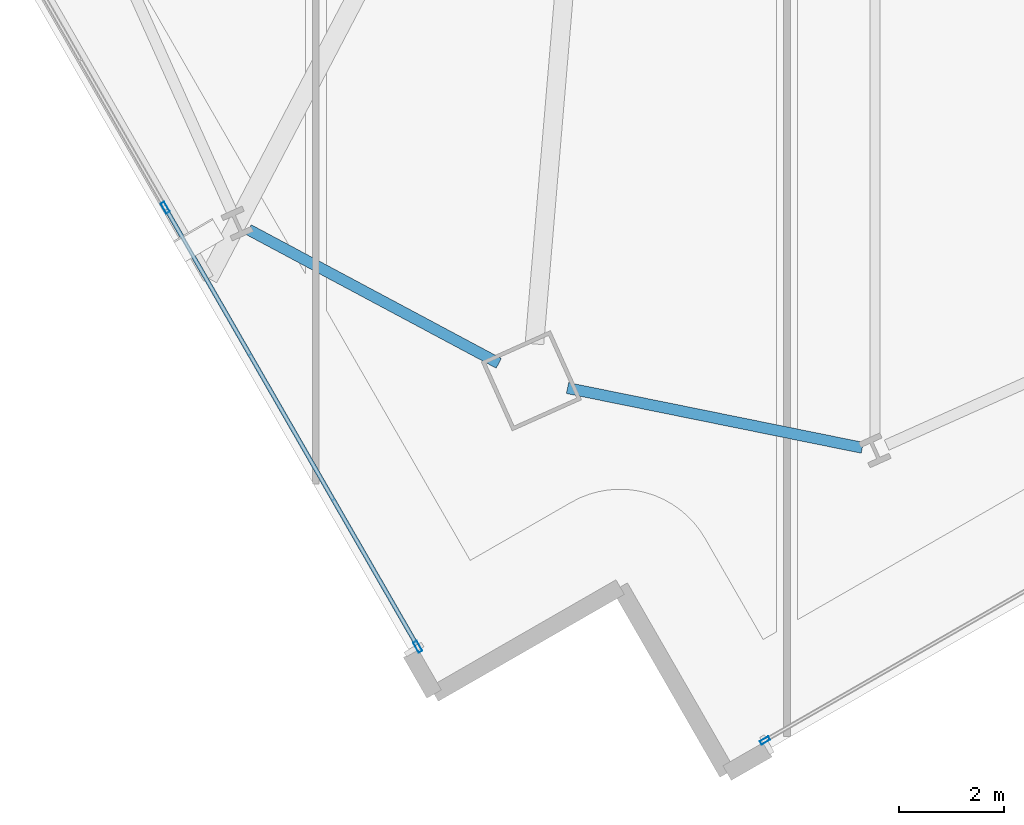
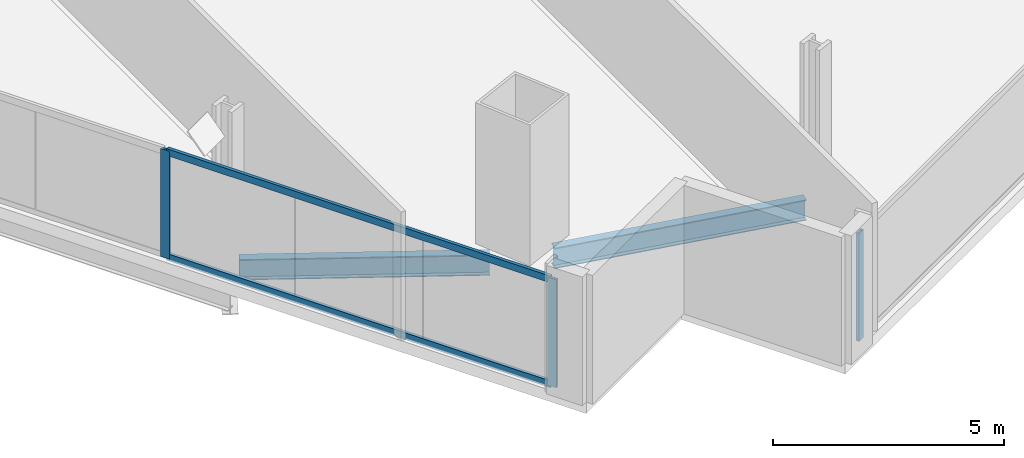
# One storey, part 2 of 33: 5 members, 2 beams, 2 elements without a shape of their own.
"""IFC4 building model written with IfcOpenShell, lengths in metres."""

from ifc_helpers import new_model, si_unit, direction, frame, origin, origin_2d, place, context, subcontext, project, spatial, hollow_rectangle, i_section, extrude, material, material_profile, profile_set, type_object, element, aggregate, save


model = new_model("IFC4")

# Units and contexts
model_context = context("Model", 3, precision=1e-05, world=origin(), true_north=direction((0.0, 1.0)))
body_context = subcontext(model_context, "Body", "Model", "MODEL_VIEW")
ifc_project = project(units=[si_unit("LENGTHUNIT", "METRE"), si_unit("AREAUNIT", "SQUARE_METRE"), si_unit("VOLUMEUNIT", "CUBIC_METRE"), si_unit("PLANEANGLEUNIT", "RADIAN"), si_unit("MASSUNIT", "GRAM", prefix="KILO")], contexts=[model_context])

# Site, building, storey
site_placement = place(None, origin())
site = spatial("IfcSite", under=ifc_project, at=site_placement, CompositionType="ELEMENT")
building_placement = place(site_placement, origin())
building = spatial("IfcBuilding", under=site, at=building_placement, Name="Haldenkirk Collegiate Tower", CompositionType="ELEMENT")
storey_placement = place(building_placement, frame((0.0, 0.0, 127.949951171875)))
storey = spatial("IfcBuildingStorey", under=building, at=storey_placement, Name="L31", CompositionType="ELEMENT", Elevation=127.949951171875)

# Beams
ifc_material_1 = material(Name="Steel ASTM A992 Grade 50", Category="steel")
ifc_material_profile_1 = material_profile(ifc_material_1, i_section(OverallWidth=0.2119140625, OverallDepth=0.5439453125, WebThickness=0.01318359375, FlangeThickness=0.021240234375, at=origin_2d()), Name="W21X83")
ifc_profile_set_1 = profile_set([ifc_material_profile_1], Name="Steel ASTM A992 Grade 50")
beam_type = type_object("IfcBeamType", Name="BM-SPANDREL-W21X83", PredefinedType="SPANDREL", material=ifc_profile_set_1)
beam_1_placement = place(storey_placement, frame((26.3076171875, 1.477783203125, -0.572021484375), z_axis=(0.980077587146, -0.19861501246, 0.0), x_axis=(0.19861501246, 0.980077587146, 0.0)))
element("IfcBeam", 1, at=beam_1_placement, inside=storey, type_object=beam_type, Name="L31 perimeter spandrel beam 01", PredefinedType="SPANDREL", context=body_context, shape_type="SweptSolid", body=[
    extrude(i_section(OverallWidth=0.2119140625, OverallDepth=0.5439453125, WebThickness=0.01318359375, FlangeThickness=0.021240234375, at=origin_2d()), origin(), (0.0, 0.0, 1.0), 5.747802734375),
])
beam_2_placement = place(storey_placement, frame((20.21240234375, 4.505615234375, -0.572021484375), z_axis=(0.881987493029, -0.471272810737, 0.0), x_axis=(0.471272810737, 0.881987493029, 0.0)))
element("IfcBeam", 2, at=beam_2_placement, inside=storey, type_object=beam_type, Name="L31 perimeter spandrel beam 16", PredefinedType="SPANDREL", context=body_context, shape_type="SweptSolid", body=[
    extrude(i_section(OverallWidth=0.2119140625, OverallDepth=0.5439453125, WebThickness=0.01318359375, FlangeThickness=0.021240234375, at=origin_2d()), origin(), (0.0, 0.0, 1.0), 5.42236328125),
])

# Curtain wall, member
ifc_material_2 = material(Name="Anodised architectural bronze aluminium", Category="aluminium")
curtain_wall_type_1 = type_object("IfcCurtainWallType", Name="CW-SYS2-CONCAVE", PredefinedType="USERDEFINED", material=ifc_material_2)
curtain_wall_1_placement = place(storey_placement, origin())
curtain_wall_1 = element("IfcCurtainWall", 3, at=curtain_wall_1_placement, inside=storey, type_object=curtain_wall_type_1, Name="L31 South concave recessed bronze-anodised curtain wall", ObjectType="UNITISED CURTAIN WALL", PredefinedType="USERDEFINED")
ifc_material_profile_2 = material_profile(ifc_material_2, hollow_rectangle(XDim=0.074951171875, YDim=0.18994140625, WallThickness=0.0048828125, at=origin_2d()), Name="CW-MUL-02")
ifc_profile_set_2 = profile_set([ifc_material_profile_2], Name="Anodised architectural bronze aluminium")
member_type_1 = type_object("IfcMemberType", Name="CW-MUL-02", PredefinedType="MULLION", material=ifc_profile_set_2)
member_1_placement = place(storey_placement, frame((30.080322265625, -5.256103515625, 0.0), z_axis=(0.0, 0.0, 1.0), x_axis=(0.498488961578, -0.866896046355, 0.0)))
member_1 = element("IfcMember", 4, at=member_1_placement, type_object=member_type_1, Name="CW-02 mullion 5", PredefinedType="MULLION", context=body_context, shape_type="SweptSolid", body=[
    extrude(hollow_rectangle(XDim=0.074951171875, YDim=0.18994140625, WallThickness=0.0048828125, at=origin_2d()), origin(), (0.0, 0.0, 1.0), 2.85107421875),
])
aggregate(curtain_wall_1, [member_1])

# Curtain wall, members
curtain_wall_type_2 = type_object("IfcCurtainWallType", Name="CW-SYS1-CONVEX-LOW", PredefinedType="USERDEFINED", material=ifc_material_2)
curtain_wall_2_placement = place(storey_placement, origin())
curtain_wall_2 = element("IfcCurtainWall", 5, at=curtain_wall_2_placement, inside=storey, type_object=curtain_wall_type_2, Name="L31 Lower tower convex bronze-framed unitised curtain wall", ObjectType="UNITISED CURTAIN WALL", PredefinedType="USERDEFINED")
ifc_material_profile_3 = material_profile(ifc_material_2, hollow_rectangle(XDim=0.080078125, YDim=0.219970703125, WallThickness=0.0048828125, at=origin_2d()), Name="CW-MUL-1A")
ifc_profile_set_3 = profile_set([ifc_material_profile_3], Name="Anodised architectural bronze aluminium")
member_type_2 = type_object("IfcMemberType", Name="CW-MUL-1A", PredefinedType="MULLION", material=ifc_profile_set_3)
member_2_placement = place(storey_placement, frame((23.44677734375, -3.46435546875, 0.0), z_axis=(0.0, 0.0, 1.0), x_axis=(-0.866895687259, -0.498489586061, 0.0)))
member_2 = element("IfcMember", 6, at=member_2_placement, type_object=member_type_2, Name="CW-1A mullion 1", PredefinedType="MULLION", context=body_context, shape_type="SweptSolid", body=[
    extrude(hollow_rectangle(XDim=0.080078125, YDim=0.219970703125, WallThickness=0.0048828125, at=origin_2d()), origin(), (0.0, 0.0, 1.0), 2.85107421875),
])
member_3_placement = place(storey_placement, frame((18.6220703125, 4.926025390625, 0.0), z_axis=(0.0, 0.0, 1.0), x_axis=(-0.866895687259, -0.498489586061, 0.0)))
member_3 = element("IfcMember", 7, at=member_3_placement, type_object=member_type_2, Name="CW-1A mullion 2", PredefinedType="MULLION", context=body_context, shape_type="SweptSolid", body=[
    extrude(hollow_rectangle(XDim=0.080078125, YDim=0.219970703125, WallThickness=0.0048828125, at=origin_2d()), origin(), (0.0, 0.0, 1.0), 2.85107421875),
])
ifc_material_profile_4 = material_profile(ifc_material_2, hollow_rectangle(XDim=0.080078125, YDim=0.179931640625, WallThickness=0.0048828125, at=origin_2d()), Name="CW-TRN-1A")
ifc_profile_set_4 = profile_set([ifc_material_profile_4], Name="Anodised architectural bronze aluminium")
member_type_3 = type_object("IfcMemberType", Name="CW-TRN-1A", PredefinedType="USERDEFINED", material=ifc_profile_set_4)
member_4_placement = place(storey_placement, frame((23.4267578125, -3.4296875, 0.0400390625), z_axis=(-0.498495495537, 0.866892289116, 0.0), x_axis=(-0.866892289116, -0.498495495537, 0.0)))
member_4 = element("IfcMember", 8, at=member_4_placement, type_object=member_type_3, Name="CW-1A transom 1.1", ObjectType="TRANSOM", PredefinedType="USERDEFINED", context=body_context, shape_type="SweptSolid", body=[
    extrude(hollow_rectangle(XDim=0.080078125, YDim=0.179931640625, WallThickness=0.0048828125, at=origin_2d()), origin(), (0.0, 0.0, 1.0), 9.5986328125),
])
member_5_placement = place(storey_placement, frame((23.4267578125, -3.4296875, 2.81103515625), z_axis=(-0.498495495537, 0.866892289116, 0.0), x_axis=(-0.866892289116, -0.498495495537, 0.0)))
member_5 = element("IfcMember", 9, at=member_5_placement, type_object=member_type_3, Name="CW-1A transom 1.2", ObjectType="TRANSOM", PredefinedType="USERDEFINED", context=body_context, shape_type="SweptSolid", body=[
    extrude(hollow_rectangle(XDim=0.080078125, YDim=0.179931640625, WallThickness=0.0048828125, at=origin_2d()), origin(), (0.0, 0.0, 1.0), 9.5986328125),
])
aggregate(curtain_wall_2, [member_2, member_3, member_4, member_5])

save(model, "model.ifc")
